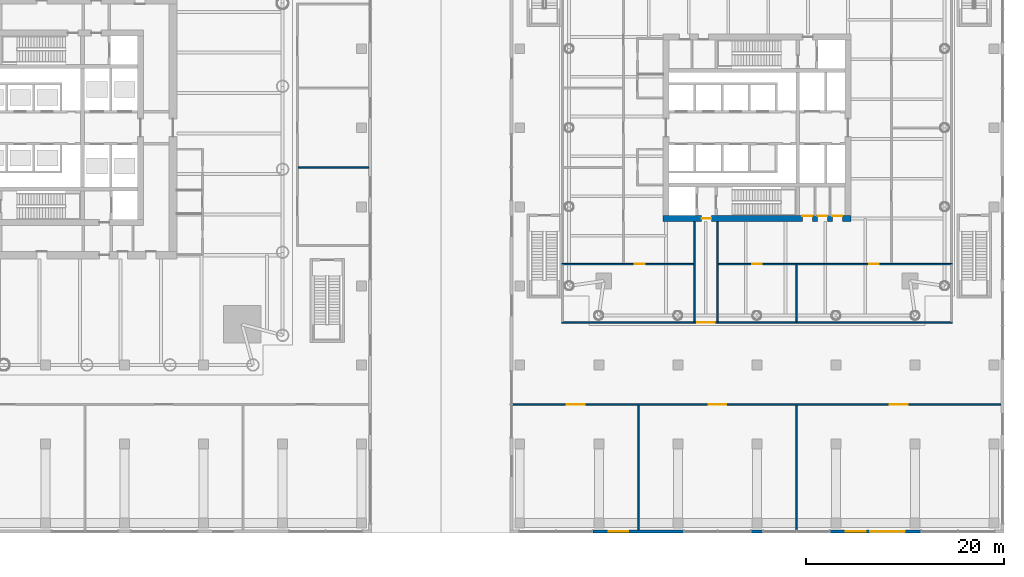
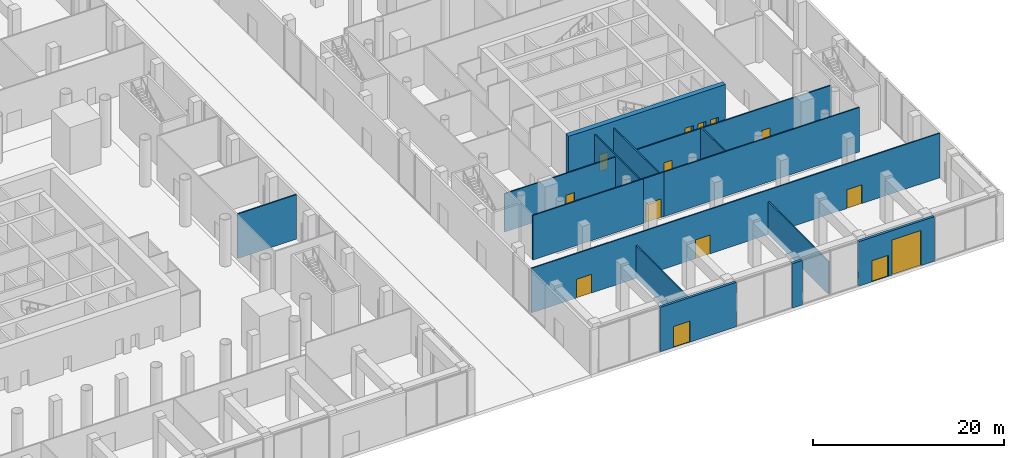
# One storey, part 28 of 39: 16 walls, 14 doors, 14 openings.
"""IFC4 building model written with IfcOpenShell, lengths in metres."""

from ifc_helpers import new_model, si_unit, direction, frame, frame_2d, origin, place, context, subcontext, project, spatial, rectangle, extrude, material, layer, layer_set, type_object, element, fill, save


model = new_model("IFC4")

# Units and contexts
model_context = context("Model", 3, precision=1e-05, world=origin(), true_north=direction((0.0, 1.0)))
body_context = subcontext(model_context, "Body", "Model", "MODEL_VIEW")
ifc_project = project(units=[si_unit("LENGTHUNIT", "METRE"), si_unit("AREAUNIT", "SQUARE_METRE"), si_unit("VOLUMEUNIT", "CUBIC_METRE"), si_unit("PLANEANGLEUNIT", "RADIAN"), si_unit("MASSUNIT", "GRAM", prefix="KILO")], contexts=[model_context])

# Site, building, storey
site_placement = place(None, origin())
site = spatial("IfcSite", under=ifc_project, at=site_placement, CompositionType="ELEMENT")
building_placement = place(site_placement, origin())
building = spatial("IfcBuilding", under=site, at=building_placement, Name="Ostroluk Exchange", CompositionType="ELEMENT")
storey_placement = place(building_placement, origin())
storey = spatial("IfcBuildingStorey", under=building, at=storey_placement, Name="L00", CompositionType="ELEMENT", Elevation=0.0)

# Walls
ifc_material_1 = material(Name="Concrete blockwork", Category="masonry")
ifc_layer_1 = layer(ifc_material_1, 0.14990234375)
ifc_layer_set_1 = layer_set([ifc_layer_1], Name="Blockwork exit passage wall 150")
wall_type_1 = type_object("IfcWallType", Name="Blockwork exit passage wall 150", PredefinedType="SOLIDWALL", material=ifc_layer_set_1)
for number, where, z_axis, x_axis, name in (
    (1, (110.699951171875, 26.375, 0.0), (0.0, 0.0, 1.0), (0.0, 1.0, 0.0), "Exit passage wall"),
    (2, (113.0, 26.375, 0.0), (0.0, 0.0, 1.0), (0.0, 1.0, 0.0), "Exit passage wall"),
):
    element("IfcWall", number, at=place(storey_placement, frame(where, z_axis=z_axis, x_axis=x_axis)), inside=storey, type_object=wall_type_1, Name=name, PredefinedType="SOLIDWALL", context=body_context, shape_type="SweptSolid", body=[
        extrude(rectangle(XDim=10.125, YDim=0.14990234375, at=frame_2d((5.0625, 0.0))), origin(), (0.0, 0.0, 1.0), 5.14990234375),
    ])

# Wall, opening, door
wall_1_placement = place(storey_placement, frame((113.074951171875, 26.300048828125, 0.0), z_axis=(0.0, 0.0, 1.0), x_axis=(-1.0, 0.0, 0.0)))
wall_1 = element("IfcWall", 3, at=wall_1_placement, inside=storey, type_object=wall_type_1, Name="Exit passage wall", PredefinedType="SOLIDWALL", context=body_context, shape_type="SweptSolid", body=[
    extrude(rectangle(XDim=2.449951171875, YDim=0.14990234375, at=frame_2d((1.22509765625, 0.0))), origin(), (0.0, 0.0, 1.0), 5.699951171875),
])
opening_1_placement = place(wall_1_placement, frame((0.324951171875, 0.0, 0.0)))
opening_1 = element("IfcOpeningElement", 4, at=opening_1_placement, cuts=wall_1, Name="Opening FD60D", PredefinedType="OPENING", context=body_context, shape_type="SweptSolid", body=[
    extrude(rectangle(XDim=1.800048828125, YDim=2.39990234375, at=frame_2d((0.89990234375, 1.199951171875))), frame((0.0, 0.0849609375, 0.0), z_axis=(0.0, -1.0, 0.0), x_axis=(1.0, 0.0, 0.0)), (0.0, 0.0, 1.0), 0.169921875),
])
ifc_material_2 = material(Name="Steel", Category="steel")
door_type_1 = type_object("IfcDoorType", Name="Double fire door EI 60 1800 x 2400", OperationType="DOUBLE_DOOR_SINGLE_SWING", PredefinedType="DOOR", material=ifc_material_2)
door_1_placement = place(opening_1_placement, origin())
door_1 = element("IfcDoor", 5, at=door_1_placement, inside=storey, type_object=door_type_1, Name="Exit passage final exit door", OperationType="DOUBLE_DOOR_SINGLE_SWING", OverallHeight=2.39990234375, OverallWidth=1.800048828125, PredefinedType="DOOR", context=body_context, shape_type="SweptSolid", body=[
    extrude(rectangle(XDim=1.800048828125, YDim=2.39990234375, at=frame_2d((0.89990234375, 1.199951171875))), frame((0.0, 0.02490234375, 0.0), z_axis=(0.0, -1.0, 0.0), x_axis=(1.0, 0.0, 0.0)), (0.0, 0.0, 1.0), 0.050048828125),
])
fill(opening_1, door_1)

# Wall, openings, doors
ifc_material_3 = material(Name="Concrete C50/60", Category="concrete")
ifc_layer_2 = layer(ifc_material_3, 0.60009765625)
ifc_layer_set_2 = layer_set([ifc_layer_2], Name="Core wall 600 C50/60")
wall_type_2 = type_object("IfcWallType", Name="Core wall 600 C50/60", PredefinedType="SHEAR", material=ifc_layer_set_2)
wall_2_placement = place(storey_placement, frame((107.5, 36.800048828125, 0.0), z_axis=(0.0, 0.0, 1.0), x_axis=(1.0, 0.0, 0.0)))
wall_2 = element("IfcWall", 6, at=wall_2_placement, inside=storey, type_object=wall_type_2, Name="T2 core wall S", PredefinedType="SHEAR", context=body_context, shape_type="SweptSolid", body=[
    extrude(rectangle(XDim=19.0, YDim=0.60009765625, at=frame_2d((9.5, 0.0))), origin(), (0.0, 0.0, 1.0), 6.0),
])
opening_2_placement = place(wall_2_placement, frame((3.89990234375, 0.0, 0.0)))
opening_2 = element("IfcOpeningElement", 7, at=opening_2_placement, cuts=wall_2, Name="Opening FD60", PredefinedType="OPENING", context=body_context, shape_type="SweptSolid", body=[
    extrude(rectangle(XDim=1.0, YDim=2.10009765625, at=frame_2d((0.5, 1.050048828125))), frame((0.0, 0.31005859375, 0.0), z_axis=(0.0, -1.0, 0.0), x_axis=(1.0, 0.0, 0.0)), (0.0, 0.0, 1.0), 0.6201171875),
])
opening_3_placement = place(wall_2_placement, frame((14.10693359375, 0.0, 0.0)))
opening_3 = element("IfcOpeningElement", 8, at=opening_3_placement, cuts=wall_2, Name="Opening FD60", PredefinedType="OPENING", context=body_context, shape_type="SweptSolid", body=[
    extrude(rectangle(XDim=1.0, YDim=2.10009765625, at=frame_2d((0.5, 1.050048828125))), frame((0.0, 0.31005859375, 0.0), z_axis=(0.0, -1.0, 0.0), x_axis=(1.0, 0.0, 0.0)), (0.0, 0.0, 1.0), 0.6201171875),
])
opening_4_placement = place(wall_2_placement, frame((15.637939453125, 0.0, 0.0)))
opening_4 = element("IfcOpeningElement", 9, at=opening_4_placement, cuts=wall_2, Name="Opening FD60", PredefinedType="OPENING", context=body_context, shape_type="SweptSolid", body=[
    extrude(rectangle(XDim=1.0, YDim=2.10009765625, at=frame_2d((0.5, 1.050048828125))), frame((0.0, 0.31005859375, 0.0), z_axis=(0.0, -1.0, 0.0), x_axis=(1.0, 0.0, 0.0)), (0.0, 0.0, 1.0), 0.6201171875),
])
opening_5_placement = place(wall_2_placement, frame((17.141845703125, 0.0, 0.0)))
opening_5 = element("IfcOpeningElement", 10, at=opening_5_placement, cuts=wall_2, Name="Opening FD60", PredefinedType="OPENING", context=body_context, shape_type="SweptSolid", body=[
    extrude(rectangle(XDim=1.0, YDim=2.10009765625, at=frame_2d((0.5, 1.050048828125))), frame((0.0, 0.31005859375, 0.0), z_axis=(0.0, -1.0, 0.0), x_axis=(1.0, 0.0, 0.0)), (0.0, 0.0, 1.0), 0.6201171875),
])
ifc_material_4 = material(Name="Steel", Category="steel")
door_type_2 = type_object("IfcDoorType", Name="Fire door EI 60 1000 x 2100", OperationType="SINGLE_SWING_LEFT", PredefinedType="DOOR", material=ifc_material_4)
door_2_placement = place(opening_2_placement, origin())
door_2 = element("IfcDoor", 11, at=door_2_placement, inside=storey, type_object=door_type_2, Name="Firefighting lobby door", OperationType="SINGLE_SWING_LEFT", OverallHeight=2.10009765625, OverallWidth=1.0, PredefinedType="DOOR", context=body_context, shape_type="SweptSolid", body=[
    extrude(rectangle(XDim=1.0, YDim=2.10009765625, at=frame_2d((0.5, 1.050048828125))), frame((0.0, 0.02490234375, 0.0), z_axis=(0.0, -1.0, 0.0), x_axis=(1.0, 0.0, 0.0)), (0.0, 0.0, 1.0), 0.050048828125),
])
fill(opening_2, door_2)
door_3_placement = place(opening_3_placement, origin())
door_3 = element("IfcDoor", 12, at=door_3_placement, inside=storey, type_object=door_type_2, Name="Security equipment store door", OperationType="SINGLE_SWING_RIGHT", OverallHeight=2.10009765625, OverallWidth=1.0, PredefinedType="DOOR", context=body_context, shape_type="SweptSolid", body=[
    extrude(rectangle(XDim=1.0, YDim=2.10009765625, at=frame_2d((0.5, 1.050048828125))), frame((0.0, 0.2900390625, 0.0), z_axis=(0.0, -1.0, 0.0), x_axis=(1.0, 0.0, 0.0)), (0.0, 0.0, 1.0), 0.050048828125),
])
fill(opening_3, door_3)
door_4_placement = place(opening_4_placement, origin())
door_4 = element("IfcDoor", 13, at=door_4_placement, inside=storey, type_object=door_type_2, Name="Comms switch room door", OperationType="SINGLE_SWING_RIGHT", OverallHeight=2.10009765625, OverallWidth=1.0, PredefinedType="DOOR", context=body_context, shape_type="SweptSolid", body=[
    extrude(rectangle(XDim=1.0, YDim=2.10009765625, at=frame_2d((0.5, 1.050048828125))), frame((0.0, 0.2900390625, 0.0), z_axis=(0.0, -1.0, 0.0), x_axis=(1.0, 0.0, 0.0)), (0.0, 0.0, 1.0), 0.050048828125),
])
fill(opening_4, door_4)
door_5_placement = place(opening_5_placement, origin())
door_5 = element("IfcDoor", 14, at=door_5_placement, inside=storey, type_object=door_type_2, Name="Electrical switch room door", OperationType="SINGLE_SWING_RIGHT", OverallHeight=2.10009765625, OverallWidth=1.0, PredefinedType="DOOR", context=body_context, shape_type="SweptSolid", body=[
    extrude(rectangle(XDim=1.0, YDim=2.10009765625, at=frame_2d((0.5, 1.050048828125))), frame((0.0, 0.2900390625, 0.0), z_axis=(0.0, -1.0, 0.0), x_axis=(1.0, 0.0, 0.0)), (0.0, 0.0, 1.0), 0.050048828125),
])
fill(opening_5, door_5)

# Wall, opening, door
ifc_material_5 = material(Name="Limestone", Category="masonry")
ifc_layer_3 = layer(ifc_material_5, 0.300048828125)
ifc_layer_set_3 = layer_set([ifc_layer_3], Name="Limestone facade wall 300")
wall_type_3 = type_object("IfcWallType", Name="Limestone facade wall 300", PredefinedType="SOLIDWALL", material=ifc_layer_set_3)
wall_3_placement = place(storey_placement, frame((100.39990234375, 5.14990234375, 0.0), z_axis=(0.0, 0.0, 1.0), x_axis=(1.0, 0.0, 0.0)))
wall_3 = element("IfcWall", 15, at=wall_3_placement, inside=storey, type_object=wall_type_3, Name="Podium east S wall L00 2a", PredefinedType="SOLIDWALL", context=body_context, shape_type="SweptSolid", body=[
    extrude(rectangle(XDim=9.2001953125, YDim=0.300048828125, at=frame_2d((4.60009765625, 0.0))), origin(), (0.0, 0.0, 1.0), 5.699951171875),
])
opening_6_placement = place(wall_3_placement, frame((1.60009765625, 0.0, 0.0)))
opening_6 = element("IfcOpeningElement", 16, at=opening_6_placement, cuts=wall_3, Name="Opening D-E1", PredefinedType="OPENING", context=body_context, shape_type="SweptSolid", body=[
    extrude(rectangle(XDim=2.0, YDim=2.699951171875, at=frame_2d((1.0, 1.35009765625))), frame((0.0, 0.159912109375, 0.0), z_axis=(0.0, -1.0, 0.0), x_axis=(1.0, 0.0, 0.0)), (0.0, 0.0, 1.0), 0.320068359375),
])
ifc_material_6 = material(Name="Bronze framed glazed door", Category="aluminium")
door_type_3 = type_object("IfcDoorType", Name="Entrance double door 2000 x 2700", OperationType="DOUBLE_DOOR_SINGLE_SWING", PredefinedType="DOOR", material=ifc_material_6)
door_6_placement = place(opening_6_placement, origin())
door_6 = element("IfcDoor", 17, at=door_6_placement, inside=storey, type_object=door_type_3, Name="Podium east entrance S 2", OperationType="DOUBLE_DOOR_SINGLE_SWING", OverallHeight=2.699951171875, OverallWidth=2.0, PredefinedType="DOOR", context=body_context, shape_type="SweptSolid", body=[
    extrude(rectangle(XDim=2.0, YDim=2.699951171875, at=frame_2d((1.0, 1.35009765625))), frame((0.0, 0.02490234375, 0.0), z_axis=(0.0, -1.0, 0.0), x_axis=(1.0, 0.0, 0.0)), (0.0, 0.0, 1.0), 0.050048828125),
])
fill(opening_6, door_6)

# Wall
wall_4_placement = place(storey_placement, frame((116.39990234375, 5.14990234375, 0.0), z_axis=(0.0, 0.0, 1.0), x_axis=(1.0, 0.0, 0.0)))
element("IfcWall", 18, at=wall_4_placement, inside=storey, type_object=wall_type_3, Name="Podium east S wall L00 3a", PredefinedType="SOLIDWALL", context=body_context, shape_type="SweptSolid", body=[
    extrude(rectangle(XDim=1.2001953125, YDim=0.300048828125, at=frame_2d((0.60009765625, 0.0))), origin(), (0.0, 0.0, 1.0), 5.699951171875),
])

# Wall, openings, doors
wall_5_placement = place(storey_placement, frame((124.39990234375, 5.14990234375, 0.0), z_axis=(0.0, 0.0, 1.0), x_axis=(1.0, 0.0, 0.0)))
wall_5 = element("IfcWall", 19, at=wall_5_placement, inside=storey, type_object=wall_type_3, Name="Podium east S wall L00 4a", PredefinedType="SOLIDWALL", context=body_context, shape_type="SweptSolid", body=[
    extrude(rectangle(XDim=9.2001953125, YDim=0.300048828125, at=frame_2d((4.60009765625, 0.0))), origin(), (0.0, 0.0, 1.0), 5.699951171875),
])
opening_7_placement = place(wall_5_placement, frame((1.60009765625, 0.0, 0.0)))
opening_7 = element("IfcOpeningElement", 20, at=opening_7_placement, cuts=wall_5, Name="Opening D-E1", PredefinedType="OPENING", context=body_context, shape_type="SweptSolid", body=[
    extrude(rectangle(XDim=2.0, YDim=2.699951171875, at=frame_2d((1.0, 1.35009765625))), frame((0.0, 0.159912109375, 0.0), z_axis=(0.0, -1.0, 0.0), x_axis=(1.0, 0.0, 0.0)), (0.0, 0.0, 1.0), 0.320068359375),
])
opening_8_placement = place(wall_5_placement, frame((4.06005859375, 0.0, 0.0)))
opening_8 = element("IfcOpeningElement", 21, at=opening_8_placement, cuts=wall_5, Name="Opening D-08", PredefinedType="OPENING", context=body_context, shape_type="SweptSolid", body=[
    extrude(rectangle(XDim=3.5, YDim=4.5, at=frame_2d((1.75, 2.25))), frame((0.0, 0.159912109375, 0.0), z_axis=(0.0, -1.0, 0.0), x_axis=(1.0, 0.0, 0.0)), (0.0, 0.0, 1.0), 0.320068359375),
])
door_7_placement = place(opening_7_placement, origin())
door_7 = element("IfcDoor", 22, at=door_7_placement, inside=storey, type_object=door_type_3, Name="Podium east entrance S 5", OperationType="DOUBLE_DOOR_SINGLE_SWING", OverallHeight=2.699951171875, OverallWidth=2.0, PredefinedType="DOOR", context=body_context, shape_type="SweptSolid", body=[
    extrude(rectangle(XDim=2.0, YDim=2.699951171875, at=frame_2d((1.0, 1.35009765625))), frame((0.0, 0.02490234375, 0.0), z_axis=(0.0, -1.0, 0.0), x_axis=(1.0, 0.0, 0.0)), (0.0, 0.0, 1.0), 0.050048828125),
])
fill(opening_7, door_7)
ifc_material_7 = material(Name="Steel", Category="steel")
door_type_4 = type_object("IfcDoorType", Name="Loading door 3500 x 4500 roller shutter", OperationType="ROLLINGUP", PredefinedType="DOOR", material=ifc_material_7)
door_8_placement = place(opening_8_placement, origin())
door_8 = element("IfcDoor", 23, at=door_8_placement, inside=storey, type_object=door_type_4, Name="Loading bay roller shutter", OperationType="ROLLINGUP", OverallHeight=4.5, OverallWidth=3.5, PredefinedType="DOOR", context=body_context, shape_type="SweptSolid", body=[
    extrude(rectangle(XDim=3.5, YDim=4.5, at=frame_2d((1.75, 2.25))), frame((0.0, 0.02490234375, 0.0), z_axis=(0.0, -1.0, 0.0), x_axis=(1.0, 0.0, 0.0)), (0.0, 0.0, 1.0), 0.050048828125),
])
fill(opening_8, door_8)

ifc_material_8 = material(Name="Gypsum plasterboard partition", Category="gypsum")
ifc_layer_4 = layer(ifc_material_8, 0.14990234375)
ifc_layer_set_4 = layer_set([ifc_layer_4], Name="Plasterboard partition 150")
wall_type_4 = type_object("IfcWallType", Name="Plasterboard partition 150", PredefinedType="PARTITIONING", material=ifc_layer_set_4)
wall_6_placement = place(storey_placement, frame((92.300048828125, 18.0, 0.0), z_axis=(0.0, 0.0, 1.0), x_axis=(1.0, 0.0, 0.0)))
wall_6 = element("IfcWall", 24, at=wall_6_placement, inside=storey, type_object=wall_type_4, Name="Partition", PredefinedType="PARTITIONING", context=body_context, shape_type="SweptSolid", body=[
    extrude(rectangle(XDim=49.39990234375, YDim=0.14990234375, at=frame_2d((24.699951171875, 0.0))), origin(), (0.0, 0.0, 1.0), 5.699951171875),
])
opening_9_placement = place(wall_6_placement, frame((5.449951171875, 0.0, 0.0)))
opening_9 = element("IfcOpeningElement", 25, at=opening_9_placement, cuts=wall_6, Name="Opening D-04", PredefinedType="OPENING", context=body_context, shape_type="SweptSolid", body=[
    extrude(rectangle(XDim=1.800048828125, YDim=2.39990234375, at=frame_2d((0.89990234375, 1.199951171875))), frame((0.0, 0.0849609375, 0.0), z_axis=(0.0, -1.0, 0.0), x_axis=(1.0, 0.0, 0.0)), (0.0, 0.0, 1.0), 0.169921875),
])
opening_10_placement = place(wall_6_placement, frame((19.800048828125, 0.0, 0.0)))
opening_10 = element("IfcOpeningElement", 26, at=opening_10_placement, cuts=wall_6, Name="Opening D-04", PredefinedType="OPENING", context=body_context, shape_type="SweptSolid", body=[
    extrude(rectangle(XDim=1.800048828125, YDim=2.39990234375, at=frame_2d((0.89990234375, 1.199951171875))), frame((0.0, 0.0849609375, 0.0), z_axis=(0.0, -1.0, 0.0), x_axis=(1.0, 0.0, 0.0)), (0.0, 0.0, 1.0), 0.169921875),
])
opening_11_placement = place(wall_6_placement, frame((38.14990234375, 0.0, 0.0)))
opening_11 = element("IfcOpeningElement", 27, at=opening_11_placement, cuts=wall_6, Name="Opening D-04", PredefinedType="OPENING", context=body_context, shape_type="SweptSolid", body=[
    extrude(rectangle(XDim=1.800048828125, YDim=2.39990234375, at=frame_2d((0.89990234375, 1.199951171875))), frame((0.0, 0.0849609375, 0.0), z_axis=(0.0, -1.0, 0.0), x_axis=(1.0, 0.0, 0.0)), (0.0, 0.0, 1.0), 0.169921875),
])
ifc_material_9 = material(Name="Timber", Category="wood")
door_type_5 = type_object("IfcDoorType", Name="Double door 1800 x 2400", OperationType="DOUBLE_DOOR_SINGLE_SWING", PredefinedType="DOOR", material=ifc_material_9)
door_9_placement = place(opening_9_placement, origin())
door_9 = element("IfcDoor", 28, at=door_9_placement, inside=storey, type_object=door_type_5, Name="Retail unit door", OperationType="DOUBLE_DOOR_SINGLE_SWING", OverallHeight=2.39990234375, OverallWidth=1.800048828125, PredefinedType="DOOR", context=body_context, shape_type="SweptSolid", body=[
    extrude(rectangle(XDim=1.800048828125, YDim=2.39990234375, at=frame_2d((0.89990234375, 1.199951171875))), frame((0.0, 0.02490234375, 0.0), z_axis=(0.0, -1.0, 0.0), x_axis=(1.0, 0.0, 0.0)), (0.0, 0.0, 1.0), 0.050048828125),
])
fill(opening_9, door_9)
door_10_placement = place(opening_10_placement, origin())
door_10 = element("IfcDoor", 29, at=door_10_placement, inside=storey, type_object=door_type_5, Name="Retail unit door", OperationType="DOUBLE_DOOR_SINGLE_SWING", OverallHeight=2.39990234375, OverallWidth=1.800048828125, PredefinedType="DOOR", context=body_context, shape_type="SweptSolid", body=[
    extrude(rectangle(XDim=1.800048828125, YDim=2.39990234375, at=frame_2d((0.89990234375, 1.199951171875))), frame((0.0, 0.02490234375, 0.0), z_axis=(0.0, -1.0, 0.0), x_axis=(1.0, 0.0, 0.0)), (0.0, 0.0, 1.0), 0.050048828125),
])
fill(opening_10, door_10)
door_11_placement = place(opening_11_placement, origin())
door_11 = element("IfcDoor", 30, at=door_11_placement, inside=storey, type_object=door_type_5, Name="Loading bay door", OperationType="DOUBLE_DOOR_SINGLE_SWING", OverallHeight=2.39990234375, OverallWidth=1.800048828125, PredefinedType="DOOR", context=body_context, shape_type="SweptSolid", body=[
    extrude(rectangle(XDim=1.800048828125, YDim=2.39990234375, at=frame_2d((0.89990234375, 1.199951171875))), frame((0.0, 0.02490234375, 0.0), z_axis=(0.0, -1.0, 0.0), x_axis=(1.0, 0.0, 0.0)), (0.0, 0.0, 1.0), 0.050048828125),
])
fill(opening_11, door_11)

# Walls
for number, where, z_axis, x_axis, name in (
    (31, (105.0, 17.925048828125, 0.0), (0.0, 0.0, 1.0), (0.0, -1.0, 0.0), "Partition"),
    (32, (121.0, 17.925048828125, 0.0), (0.0, 0.0, 1.0), (0.0, -1.0, 0.0), "Partition"),
):
    element("IfcWall", number, at=place(storey_placement, frame(where, z_axis=z_axis, x_axis=x_axis)), inside=storey, type_object=wall_type_4, Name=name, PredefinedType="PARTITIONING", context=body_context, shape_type="SweptSolid", body=[
        extrude(rectangle(XDim=12.625, YDim=0.14990234375, at=frame_2d((6.3125, 0.0))), origin(), (0.0, 0.0, 1.0), 4.199951171875),
    ])
wall_7_placement = place(storey_placement, frame((70.574951171875, 42.0, 0.0), z_axis=(0.0, 0.0, 1.0), x_axis=(1.0, 0.0, 0.0)))
element("IfcWall", 33, at=wall_7_placement, inside=storey, type_object=wall_type_4, Name="Partition", PredefinedType="PARTITIONING", context=body_context, shape_type="SweptSolid", body=[
    extrude(rectangle(XDim=7.125, YDim=0.14990234375, at=frame_2d((3.5625, 0.0))), origin(), (0.0, 0.0, 1.0), 5.699951171875),
])
wall_8_placement = place(storey_placement, frame((97.22509765625, 26.300048828125, 0.0), z_axis=(0.0, 0.0, 1.0), x_axis=(1.0, 0.0, 0.0)))
element("IfcWall", 34, at=wall_8_placement, inside=storey, type_object=wall_type_4, Name="Partition", PredefinedType="PARTITIONING", context=body_context, shape_type="SweptSolid", body=[
    extrude(rectangle(XDim=13.39990234375, YDim=0.14990234375, at=frame_2d((6.699951171875, 0.0))), origin(), (0.0, 0.0, 1.0), 5.699951171875),
])
wall_9_placement = place(storey_placement, frame((113.074951171875, 26.300048828125, 0.0), z_axis=(0.0, 0.0, 1.0), x_axis=(1.0, 0.0, 0.0)))
element("IfcWall", 35, at=wall_9_placement, inside=storey, type_object=wall_type_4, Name="Partition", PredefinedType="PARTITIONING", context=body_context, shape_type="SweptSolid", body=[
    extrude(rectangle(XDim=23.699951171875, YDim=0.14990234375, at=frame_2d((11.85009765625, 0.0))), origin(), (0.0, 0.0, 1.0), 5.699951171875),
])

# Wall, opening, door
wall_10_placement = place(storey_placement, frame((97.22509765625, 32.199951171875, 0.0), z_axis=(0.0, 0.0, 1.0), x_axis=(1.0, 0.0, 0.0)))
wall_10 = element("IfcWall", 36, at=wall_10_placement, inside=storey, type_object=wall_type_4, Name="Partition", PredefinedType="PARTITIONING", context=body_context, shape_type="SweptSolid", body=[
    extrude(rectangle(XDim=13.39990234375, YDim=0.14990234375, at=frame_2d((6.699951171875, 0.0))), origin(), (0.0, 0.0, 1.0), 4.89990234375),
])
opening_12_placement = place(wall_10_placement, frame((7.425048828125, 0.0, 0.0)))
opening_12 = element("IfcOpeningElement", 37, at=opening_12_placement, cuts=wall_10, Name="Opening D-03", PredefinedType="OPENING", context=body_context, shape_type="SweptSolid", body=[
    extrude(rectangle(XDim=1.0, YDim=2.10009765625, at=frame_2d((0.5, 1.050048828125))), frame((0.0, 0.0849609375, 0.0), z_axis=(0.0, -1.0, 0.0), x_axis=(1.0, 0.0, 0.0)), (0.0, 0.0, 1.0), 0.169921875),
])
ifc_material_10 = material(Name="Timber", Category="wood")
door_type_6 = type_object("IfcDoorType", Name="Internal door 1000 x 2100", OperationType="SINGLE_SWING_LEFT", PredefinedType="DOOR", material=ifc_material_10)
door_12_placement = place(opening_12_placement, origin())
door_12 = element("IfcDoor", 38, at=door_12_placement, inside=storey, type_object=door_type_6, Name="Hotel back office door", OperationType="SINGLE_SWING_RIGHT", OverallHeight=2.10009765625, OverallWidth=1.0, PredefinedType="DOOR", context=body_context, shape_type="SweptSolid", body=[
    extrude(rectangle(XDim=1.0, YDim=2.10009765625, at=frame_2d((0.5, 1.050048828125))), frame((0.0, 0.02490234375, 0.0), z_axis=(0.0, -1.0, 0.0), x_axis=(1.0, 0.0, 0.0)), (0.0, 0.0, 1.0), 0.050048828125),
])
fill(opening_12, door_12)

# Wall, openings, doors
wall_11_placement = place(storey_placement, frame((113.074951171875, 32.199951171875, 0.0), z_axis=(0.0, 0.0, 1.0), x_axis=(1.0, 0.0, 0.0)))
wall_11 = element("IfcWall", 39, at=wall_11_placement, inside=storey, type_object=wall_type_4, Name="Partition", PredefinedType="PARTITIONING", context=body_context, shape_type="SweptSolid", body=[
    extrude(rectangle(XDim=23.699951171875, YDim=0.14990234375, at=frame_2d((11.85009765625, 0.0))), origin(), (0.0, 0.0, 1.0), 4.947021484375),
])
opening_13_placement = place(wall_11_placement, frame((3.425048828125, 0.0, 0.0)))
opening_13 = element("IfcOpeningElement", 40, at=opening_13_placement, cuts=wall_11, Name="Opening D-03", PredefinedType="OPENING", context=body_context, shape_type="SweptSolid", body=[
    extrude(rectangle(XDim=1.0, YDim=2.10009765625, at=frame_2d((0.5, 1.050048828125))), frame((0.0, 0.0849609375, 0.0), z_axis=(0.0, -1.0, 0.0), x_axis=(1.0, 0.0, 0.0)), (0.0, 0.0, 1.0), 0.169921875),
])
opening_14_placement = place(wall_11_placement, frame((15.27490234375, 0.0, 0.0)))
opening_14 = element("IfcOpeningElement", 41, at=opening_14_placement, cuts=wall_11, Name="Opening D-03", PredefinedType="OPENING", context=body_context, shape_type="SweptSolid", body=[
    extrude(rectangle(XDim=1.0, YDim=2.10009765625, at=frame_2d((0.5, 1.050048828125))), frame((0.0, 0.0849609375, 0.0), z_axis=(0.0, -1.0, 0.0), x_axis=(1.0, 0.0, 0.0)), (0.0, 0.0, 1.0), 0.169921875),
])
door_13_placement = place(opening_13_placement, origin())
door_13 = element("IfcDoor", 42, at=door_13_placement, inside=storey, type_object=door_type_6, Name="Luggage store door", OperationType="SINGLE_SWING_LEFT", OverallHeight=2.10009765625, OverallWidth=1.0, PredefinedType="DOOR", context=body_context, shape_type="SweptSolid", body=[
    extrude(rectangle(XDim=1.0, YDim=2.10009765625, at=frame_2d((0.5, 1.050048828125))), frame((0.0, 0.02490234375, 0.0), z_axis=(0.0, -1.0, 0.0), x_axis=(1.0, 0.0, 0.0)), (0.0, 0.0, 1.0), 0.050048828125),
])
fill(opening_13, door_13)
door_14_placement = place(opening_14_placement, origin())
door_14 = element("IfcDoor", 43, at=door_14_placement, inside=storey, type_object=door_type_6, Name="Hotel back office door", OperationType="SINGLE_SWING_RIGHT", OverallHeight=2.10009765625, OverallWidth=1.0, PredefinedType="DOOR", context=body_context, shape_type="SweptSolid", body=[
    extrude(rectangle(XDim=1.0, YDim=2.10009765625, at=frame_2d((0.5, 1.050048828125))), frame((0.0, 0.02490234375, 0.0), z_axis=(0.0, -1.0, 0.0), x_axis=(1.0, 0.0, 0.0)), (0.0, 0.0, 1.0), 0.050048828125),
])
fill(opening_14, door_14)

# Wall
wall_12_placement = place(storey_placement, frame((121.0, 26.375, 0.0), z_axis=(0.0, 0.0, 1.0), x_axis=(0.0, 1.0, 0.0)))
element("IfcWall", 44, at=wall_12_placement, inside=storey, type_object=wall_type_4, Name="Partition", PredefinedType="PARTITIONING", context=body_context, shape_type="SweptSolid", body=[
    extrude(rectangle(XDim=5.75, YDim=0.14990234375, at=frame_2d((2.875, 0.0))), origin(), (0.0, 0.0, 1.0), 5.14990234375),
])

save(model, "model.ifc")
